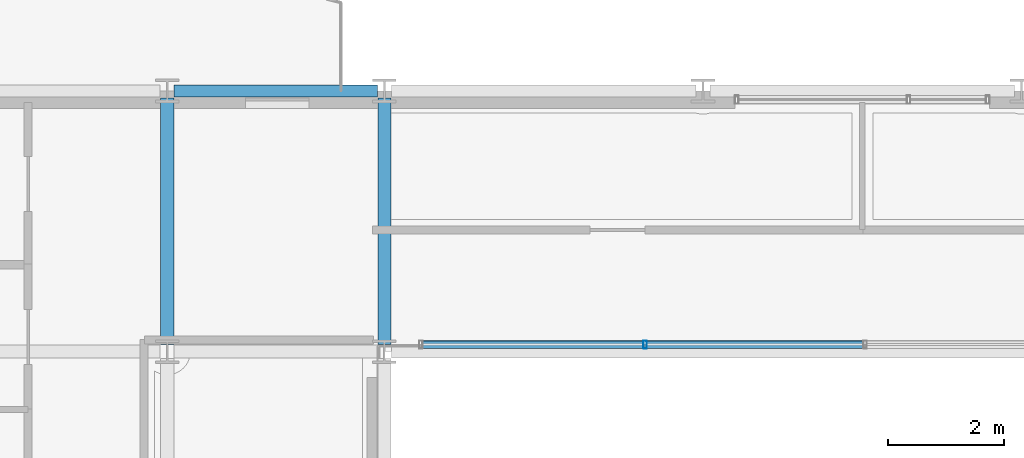
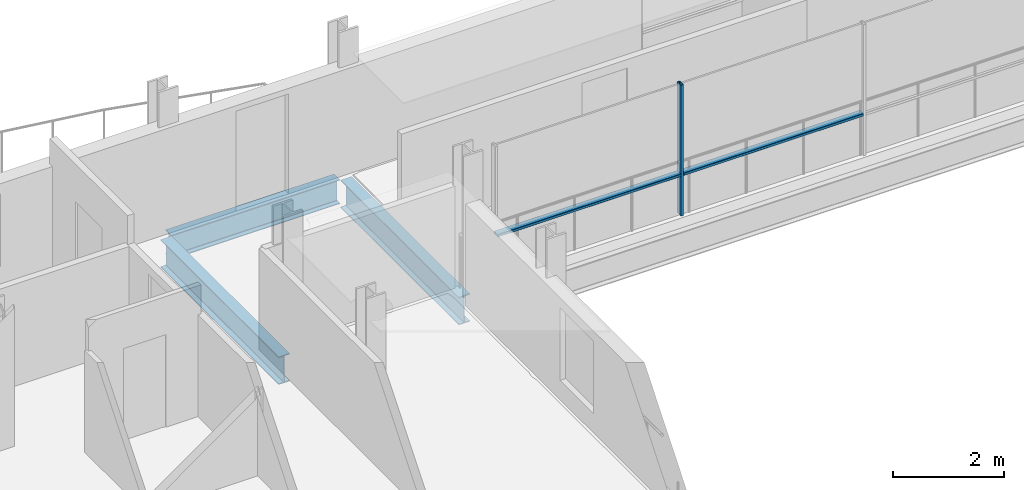
# One storey, part 11 of 40: 3 beams, 3 members, 1 element without a shape of its own.
"""IFC4 building model written with IfcOpenShell, lengths in metres."""

from ifc_helpers import new_model, si_unit, direction, frame, origin, origin_2d, place, context, subcontext, project, spatial, hollow_rectangle, i_section, extrude, material, layer, layer_set, material_profile, profile_set, type_object, element, aggregate, save


model = new_model("IFC4")

# Units and contexts
model_context = context("Model", 3, precision=1e-05, world=origin(), true_north=direction((0.0, 1.0)))
body_context = subcontext(model_context, "Body", "Model", "MODEL_VIEW")
ifc_project = project(units=[si_unit("LENGTHUNIT", "METRE"), si_unit("AREAUNIT", "SQUARE_METRE"), si_unit("VOLUMEUNIT", "CUBIC_METRE"), si_unit("PLANEANGLEUNIT", "RADIAN"), si_unit("MASSUNIT", "GRAM", prefix="KILO")], contexts=[model_context])

# Site, building, storey
site_placement = place(None, origin())
site = spatial("IfcSite", under=ifc_project, at=site_placement, CompositionType="ELEMENT")
building_placement = place(site_placement, origin())
building = spatial("IfcBuilding", under=site, at=building_placement, Name="Brevholm Reach", CompositionType="ELEMENT")
storey_placement = place(building_placement, frame((0.0, 0.0, 160.39990234375)))
storey = spatial("IfcBuildingStorey", under=building, at=storey_placement, Name="L48", CompositionType="ELEMENT", Elevation=160.39990234375)

# Beams
ifc_material_1 = material(Name="Structural Steel S355J2", Category="steel")
ifc_material_profile_1 = material_profile(ifc_material_1, i_section(OverallWidth=0.209228515625, OverallDepth=0.533203125, WebThickness=0.010009765625, FlangeThickness=0.015625, FilletRadius=0.0126953125, at=origin_2d()), Name="UKB 533x210x92")
ifc_profile_set_1 = profile_set([ifc_material_profile_1], Name="Structural Steel S355J2")
beam_type_1 = type_object("IfcBeamType", Name="BM-SP533", PredefinedType="SPANDREL", material=ifc_profile_set_1)
beam_placement = place(storey_placement, frame((18.1201171875, 31.0, -0.486572265625), z_axis=(1.0, 0.0, 0.0), x_axis=(0.0, 1.0, 0.0)))
element("IfcBeam", 1, at=beam_placement, inside=storey, type_object=beam_type_1, Name="L48 SP-02 Framing Beam", PredefinedType="SPANDREL", context=body_context, shape_type="SweptSolid", body=[
    extrude(i_section(OverallWidth=0.209228515625, OverallDepth=0.533203125, WebThickness=0.010009765625, FlangeThickness=0.015625, FilletRadius=0.0126953125, at=origin_2d()), origin(), (0.0, 0.0, 1.0), 3.509765625),
])
ifc_material_2 = material(Name="Structural Steel S355J2", Category="steel")
ifc_material_profile_2 = material_profile(ifc_material_2, i_section(OverallWidth=0.22900390625, OverallDepth=0.6123046875, WebThickness=0.011962890625, FlangeThickness=0.01953125, FilletRadius=0.0126953125, at=origin_2d()), Name="UKB 610x229x125")
ifc_profile_set_2 = profile_set([ifc_material_profile_2], Name="Structural Steel S355J2")
beam_type_2 = type_object("IfcBeamType", Name="BM-SP610", PredefinedType="SPANDREL", material=ifc_profile_set_2)
for number, where, z_axis, x_axis, name in (
    (2, (18.0, 26.6201171875, -0.526123046875), (0.0, 1.0, 0.0), (-1.0, 0.0, 0.0), "L48 SP-01 Framing Beam"),
    (3, (21.75, 26.6201171875, -0.526123046875), (0.0, 1.0, 0.0), (-1.0, 0.0, 0.0), "L48 SP-01 Framing Beam"),
):
    element("IfcBeam", number, at=place(storey_placement, frame(where, z_axis=z_axis, x_axis=x_axis)), inside=storey, type_object=beam_type_2, Name=name, PredefinedType="SPANDREL", context=body_context, shape_type="SweptSolid", body=[
        extrude(i_section(OverallWidth=0.22900390625, OverallDepth=0.6123046875, WebThickness=0.011962890625, FlangeThickness=0.01953125, FilletRadius=0.0126953125, at=origin_2d()), origin(), (0.0, 0.0, 1.0), 4.259765625),
    ])

# Curtain wall, members
ifc_material_3 = material(Name="Dark Anodised Aluminium 6063-T6 and Solar-Control Glass", Category="aluminium")
ifc_layer = layer(ifc_material_3, 0.139892578125)
ifc_layer_set = layer_set([ifc_layer], Name="Dark Anodised Aluminium 6063-T6 and Solar-Control Glass")
curtain_wall_type = type_object("IfcCurtainWallType", Name="CW-02", PredefinedType="NOTDEFINED", material=ifc_layer_set)
curtain_wall_placement = place(storey_placement, origin())
curtain_wall = element("IfcCurtainWall", 4, at=curtain_wall_placement, inside=storey, type_object=curtain_wall_type, Name="L48 Curtain Wall CW-02", PredefinedType="NOTDEFINED")
ifc_material_4 = material(Name="Dark Anodised Aluminium 6063-T6", Category="aluminium")
ifc_material_profile_3 = material_profile(ifc_material_4, hollow_rectangle(XDim=0.06005859375, YDim=0.139892578125, WallThickness=0.0048828125, InnerFilletRadius=0.0048828125, OuterFilletRadius=0.010009765625, at=origin_2d()), Name="RHS 140x60x5")
ifc_profile_set_3 = profile_set([ifc_material_profile_3], Name="Dark Anodised Aluminium 6063-T6")
member_type_1 = type_object("IfcMemberType", Name="CWM-140", PredefinedType="MULLION", material=ifc_profile_set_3)
member_1_placement = place(storey_placement, frame((26.25, 26.6201171875, 0.0), z_axis=(0.0, 0.0, 1.0), x_axis=(-1.0, 0.0, 0.0)))
member_1 = element("IfcMember", 5, at=member_1_placement, type_object=member_type_1, Name="CM-140 Mullion 4", PredefinedType="MULLION", context=body_context, shape_type="SweptSolid", body=[
    extrude(hollow_rectangle(XDim=0.06005859375, YDim=0.139892578125, WallThickness=0.0048828125, InnerFilletRadius=0.0048828125, OuterFilletRadius=0.010009765625, at=origin_2d()), origin(), (0.0, 0.0, 1.0), 2.880126953125),
])
ifc_material_5 = material(Name="Dark Anodised Aluminium 6063-T6", Category="aluminium")
ifc_material_profile_4 = material_profile(ifc_material_5, hollow_rectangle(XDim=0.06005859375, YDim=0.139892578125, WallThickness=0.0048828125, InnerFilletRadius=0.0048828125, OuterFilletRadius=0.010009765625, at=origin_2d()), Name="RHS 140x60x5")
ifc_profile_set_4 = profile_set([ifc_material_profile_4], Name="Dark Anodised Aluminium 6063-T6")
member_type_2 = type_object("IfcMemberType", Name="CWT-140", PredefinedType="NOTDEFINED", material=ifc_profile_set_4)
member_2_placement = place(storey_placement, frame((30.02001953125, 26.6201171875, 0.900146484375), z_axis=(-1.0, 0.0, 0.0), x_axis=(0.0, 0.0, 1.0)))
member_2 = element("IfcMember", 6, at=member_2_placement, type_object=member_type_2, Name="CT-140 Transom 3.1", ObjectType="TRANSOM", PredefinedType="USERDEFINED", context=body_context, shape_type="SweptSolid", body=[
    extrude(hollow_rectangle(XDim=0.06005859375, YDim=0.139892578125, WallThickness=0.0048828125, InnerFilletRadius=0.0048828125, OuterFilletRadius=0.010009765625, at=origin_2d()), origin(), (0.0, 0.0, 1.0), 3.739990234375),
])
member_3_placement = place(storey_placement, frame((26.219970703125, 26.6201171875, 0.900146484375), z_axis=(-1.0, 0.0, 0.0), x_axis=(0.0, 0.0, 1.0)))
member_3 = element("IfcMember", 7, at=member_3_placement, type_object=member_type_2, Name="CT-140 Transom 4.1", ObjectType="TRANSOM", PredefinedType="USERDEFINED", context=body_context, shape_type="SweptSolid", body=[
    extrude(hollow_rectangle(XDim=0.06005859375, YDim=0.139892578125, WallThickness=0.0048828125, InnerFilletRadius=0.0048828125, OuterFilletRadius=0.010009765625, at=origin_2d()), origin(), (0.0, 0.0, 1.0), 3.81005859375),
])
aggregate(curtain_wall, [member_1, member_2, member_3])

save(model, "model.ifc")
